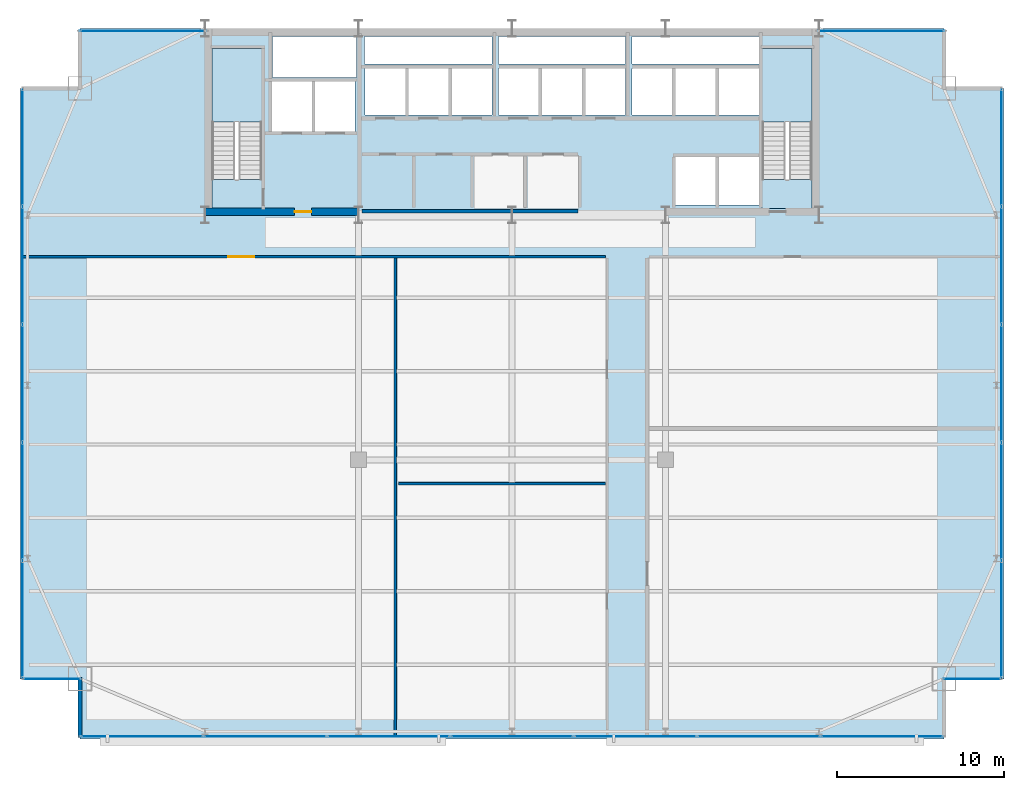
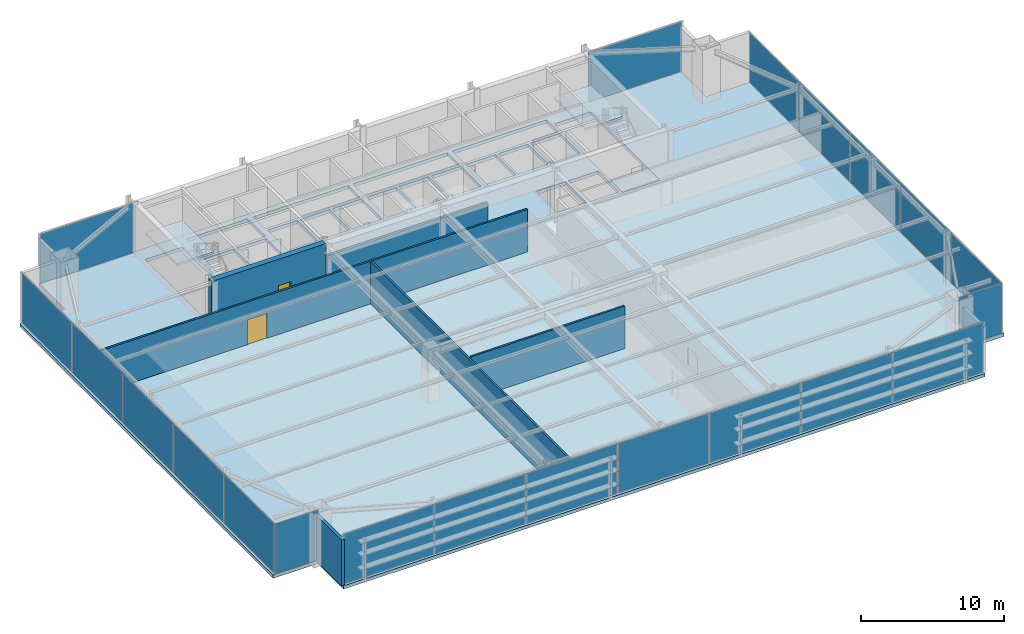
# One storey, part 28 of 32: 21 plates, 6 walls, 5 slabs, 2 doors, 2 openings, 9 elements without a shape of their own.
"""IFC4 building model written with IfcOpenShell, lengths in metres."""

from ifc_helpers import new_model, si_unit, direction, frame, frame_2d, origin, origin_2d, place, context, subcontext, project, spatial, polyline, rectangle, outline, extrude, source, transform, mapped, material, layer, layer_set, type_object, type_shapes, element, fill, aggregate, save


model = new_model("IFC4")

# Units and contexts
model_context = context("Model", 3, precision=1e-05, world=origin(), true_north=direction((0.0, 1.0)))
body_context = subcontext(model_context, "Body", "Model", "MODEL_VIEW")
ifc_project = project(units=[si_unit("LENGTHUNIT", "METRE"), si_unit("AREAUNIT", "SQUARE_METRE"), si_unit("VOLUMEUNIT", "CUBIC_METRE"), si_unit("PLANEANGLEUNIT", "RADIAN"), si_unit("MASSUNIT", "GRAM", prefix="KILO")], contexts=[model_context])

# Site, building, storey
site_placement = place(None, origin())
site = spatial("IfcSite", under=ifc_project, at=site_placement, CompositionType="ELEMENT")
building_placement = place(site_placement, origin())
building = spatial("IfcBuilding", under=site, at=building_placement, Name="Varnel Quay Broadcast Tower", CompositionType="ELEMENT")
storey_placement = place(building_placement, frame((0.0, 0.0, 98.39990234375)))
storey = spatial("IfcBuildingStorey", under=building, at=storey_placement, Name="L23", CompositionType="ELEMENT", Elevation=98.39990234375)

# Slabs
ifc_material_1 = material(Name="Concrete CSA A23.3 C50/60", Category="concrete")
ifc_layer_1 = layer(ifc_material_1, 0.280029296875, Name="Concrete CSA A23.3 C50/60")
ifc_layer_set_1 = layer_set([ifc_layer_1], Name="Concrete CSA A23.3 C50/60")
slab_type_1 = type_object("IfcSlabType", Name="Slab_Floor280", PredefinedType="FLOOR", material=ifc_layer_set_1)
slab_1_placement = place(storey_placement, frame((0.0, 0.0, -0.27978515625)))
element("IfcSlab", 1, at=slab_1_placement, inside=storey, type_object=slab_type_1, Name="L23 Structural Slab", PredefinedType="FLOOR", context=body_context, shape_type="SweptSolid", body=[
    extrude(outline(polyline([(8.10009765625, 4.199951171875), (59.89990234375, 4.199951171875), (59.89990234375, 7.800048828125), (63.5, 7.800048828125), (63.5, 43.199951171875), (59.89990234375, 43.199951171875), (59.89990234375, 46.800048828125), (8.10009765625, 46.800048828125), (8.10009765625, 43.199951171875), (4.5, 43.199951171875), (4.5, 7.800048828125), (8.10009765625, 7.800048828125), (8.10009765625, 4.199951171875)]), holes=[polyline([(16.0, 36.0), (16.0, 45.60009765625), (19.0, 45.60009765625), (19.0, 36.0), (16.0, 36.0)]), polyline([(19.60009765625, 43.60009765625), (22.0, 43.60009765625), (22.0, 40.60009765625), (19.60009765625, 40.60009765625), (19.60009765625, 43.60009765625)]), polyline([(22.199951171875, 43.60009765625), (24.60009765625, 43.60009765625), (24.60009765625, 40.60009765625), (22.199951171875, 40.60009765625), (22.199951171875, 43.60009765625)]), polyline([(25.199951171875, 44.39990234375), (27.60009765625, 44.39990234375), (27.60009765625, 41.60009765625), (25.199951171875, 41.60009765625), (25.199951171875, 44.39990234375)]), polyline([(27.800048828125, 44.39990234375), (30.199951171875, 44.39990234375), (30.199951171875, 41.60009765625), (27.800048828125, 41.60009765625), (27.800048828125, 44.39990234375)]), polyline([(30.39990234375, 44.39990234375), (32.800048828125, 44.39990234375), (32.800048828125, 41.60009765625), (30.39990234375, 41.60009765625), (30.39990234375, 44.39990234375)]), polyline([(33.199951171875, 44.39990234375), (35.60009765625, 44.39990234375), (35.60009765625, 41.60009765625), (33.199951171875, 41.60009765625), (33.199951171875, 44.39990234375)]), polyline([(38.199951171875, 44.39990234375), (38.199951171875, 41.60009765625), (35.800048828125, 41.60009765625), (35.800048828125, 44.39990234375), (38.199951171875, 44.39990234375)]), polyline([(24.679931640625, 46.300048828125), (24.679931640625, 43.85009765625), (19.64990234375, 43.85009765625), (19.64990234375, 46.300048828125), (24.679931640625, 46.300048828125)]), polyline([(25.14990234375, 46.300048828125), (32.800048828125, 46.300048828125), (32.800048828125, 44.64990234375), (25.14990234375, 44.64990234375), (25.14990234375, 46.300048828125)]), polyline([(43.800048828125, 39.10009765625), (46.199951171875, 39.10009765625), (46.199951171875, 36.199951171875), (43.800048828125, 36.199951171875), (43.800048828125, 39.10009765625)]), polyline([(46.39990234375, 39.10009765625), (48.800048828125, 39.10009765625), (48.800048828125, 36.199951171875), (46.39990234375, 36.199951171875), (46.39990234375, 39.10009765625)]), polyline([(49.0, 45.60009765625), (52.0, 45.60009765625), (52.0, 36.0), (49.0, 36.0), (49.0, 45.60009765625)]), polyline([(40.800048828125, 44.39990234375), (40.800048828125, 41.60009765625), (38.39990234375, 41.60009765625), (38.39990234375, 44.39990234375), (40.800048828125, 44.39990234375)]), polyline([(41.199951171875, 44.39990234375), (43.60009765625, 44.39990234375), (43.60009765625, 41.60009765625), (41.199951171875, 41.60009765625), (41.199951171875, 44.39990234375)]), polyline([(43.800048828125, 44.39990234375), (46.199951171875, 44.39990234375), (46.199951171875, 41.60009765625), (43.800048828125, 41.60009765625), (43.800048828125, 44.39990234375)]), polyline([(46.39990234375, 44.39990234375), (48.800048828125, 44.39990234375), (48.800048828125, 41.60009765625), (46.39990234375, 41.60009765625), (46.39990234375, 44.39990234375)]), polyline([(40.800048828125, 46.300048828125), (40.800048828125, 44.64990234375), (33.199951171875, 44.64990234375), (33.199951171875, 46.300048828125), (40.800048828125, 46.300048828125)]), polyline([(48.800048828125, 46.300048828125), (48.800048828125, 44.64990234375), (41.199951171875, 44.64990234375), (41.199951171875, 46.300048828125), (48.800048828125, 46.300048828125)])]), origin(), (0.0, 0.0, 1.0), 0.27978515625),
])
ifc_layer_2 = layer(ifc_material_1, 0.25, Name="Concrete CSA A23.3 C50/60")
ifc_layer_set_2 = layer_set([ifc_layer_2], Name="Concrete CSA A23.3 C50/60")
slab_type_2 = type_object("IfcSlabType", Name="Slab_StairFloorLanding250", PredefinedType="FLOOR", material=ifc_layer_set_2)
slab_2_placement = place(storey_placement, frame((0.0, 0.0, -0.27978515625)))
element("IfcSlab", 2, at=slab_2_placement, inside=storey, type_object=slab_type_2, Name="L23 ST-01 Structural Floor Landing Slab", PredefinedType="FLOOR", context=body_context, shape_type="SweptSolid", body=[
    extrude(outline(polyline([(19.0, 36.0), (19.0, 37.75), (16.0, 37.75), (16.0, 36.0), (19.0, 36.0)])), origin(), (0.0, 0.0, 1.0), 0.27978515625),
])
slab_3_placement = place(storey_placement, frame((0.0, 0.0, -0.27978515625)))
element("IfcSlab", 3, at=slab_3_placement, inside=storey, type_object=slab_type_2, Name="L23 ST-02 Structural Floor Landing Slab", PredefinedType="FLOOR", context=body_context, shape_type="SweptSolid", body=[
    extrude(outline(polyline([(52.0, 36.0), (52.0, 37.75), (49.0, 37.75), (49.0, 36.0), (52.0, 36.0)])), origin(), (0.0, 0.0, 1.0), 0.27978515625),
])

# Stair, slab
ifc_material_2 = material(Name="Precast Structural Concrete C40/50", Category="concrete")
stair_type_1 = type_object("IfcStairType", Name="Stair_ST-01", PredefinedType="HALF_TURN_STAIR", material=ifc_material_2)
stair_1_placement = place(storey_placement, origin())
stair_1 = element("IfcStair", 4, at=stair_1_placement, inside=storey, type_object=stair_type_1, Name="L23 West Core Exit Stair 1", PredefinedType="HALF_TURN_STAIR")
ifc_layer_3 = layer(ifc_material_2, 0.199951171875, Name="Precast Structural Concrete C40/50")
ifc_layer_set_3 = layer_set([ifc_layer_3], Name="Precast Structural Concrete C40/50")
slab_type_3 = type_object("IfcSlabType", Name="Slab_StairLanding200", PredefinedType="LANDING", material=ifc_layer_set_3)
slab_4_placement = place(storey_placement, frame((0.0, 0.0, 2.10009765625)))
slab_4 = element("IfcSlab", 5, at=slab_4_placement, type_object=slab_type_3, Name="ST-01 landing 1", PredefinedType="LANDING", context=body_context, shape_type="SweptSolid", body=[
    extrude(outline(polyline([(19.0, 41.169921875), (19.0, 45.60009765625), (16.0, 45.60009765625), (16.0, 41.169921875), (19.0, 41.169921875)])), origin(), (0.0, 0.0, 1.0), 0.199951171875),
])
aggregate(stair_1, [slab_4])

stair_type_2 = type_object("IfcStairType", Name="Stair_ST-02", PredefinedType="HALF_TURN_STAIR", material=ifc_material_2)
stair_2_placement = place(storey_placement, origin())
stair_2 = element("IfcStair", 6, at=stair_2_placement, inside=storey, type_object=stair_type_2, Name="L23 East Core Exit Stair 2", PredefinedType="HALF_TURN_STAIR")
slab_5_placement = place(storey_placement, frame((0.0, 0.0, 2.10009765625)))
slab_5 = element("IfcSlab", 7, at=slab_5_placement, type_object=slab_type_3, Name="ST-02 landing 1", PredefinedType="LANDING", context=body_context, shape_type="SweptSolid", body=[
    extrude(outline(polyline([(52.0, 41.169921875), (52.0, 45.60009765625), (49.0, 45.60009765625), (49.0, 41.169921875), (52.0, 41.169921875)])), origin(), (0.0, 0.0, 1.0), 0.199951171875),
])
aggregate(stair_2, [slab_5])

# Curtain wall, plates
ifc_material_3 = material(Name="Anodised Bronze Aluminium 6063-T6", Category="aluminium")
ifc_layer_4 = layer(ifc_material_3, 0.18994140625, Name="Anodised Bronze Aluminium 6063-T6")
ifc_layer_set_4 = layer_set([ifc_layer_4], Name="Anodised Bronze Aluminium 6063-T6")
curtain_wall_type_1 = type_object("IfcCurtainWallType", Name="CW_SkyObsHighVis", PredefinedType="NOTDEFINED", material=ifc_layer_set_4)
curtain_wall_1_placement = place(storey_placement, origin())
curtain_wall_1 = element("IfcCurtainWall", 8, at=curtain_wall_1_placement, inside=storey, type_object=curtain_wall_type_1, Name="L23 South Unitised Curtain Wall 1", PredefinedType="NOTDEFINED")
ifc_material_4 = material(Name="Triple-Glazed Clear High-Vision Low-E Glass", Category="glass")
ifc_layer_5 = layer(ifc_material_4, 0.0380859375, Name="Triple-Glazed Clear High-Vision Low-E Glass")
ifc_layer_set_5 = layer_set([ifc_layer_5], Name="Triple-Glazed Clear High-Vision Low-E Glass")
plate_type_1 = type_object("IfcPlateType", Name="Panel_CWS-05", PredefinedType="CURTAIN_PANEL", material=ifc_layer_set_5)
shared_shape_1 = source(origin(), body_context, "Body", "SweptSolid", [
    extrude(rectangle(XDim=7.28759765625, YDim=0.0380859375, at=origin_2d()), origin(), (0.0, 0.0, 1.0), 4.22998046875),
])
plate_1_placement = place(storey_placement, frame((11.81884765625, 4.35009765625, 0.06005859375), z_axis=(0.0, 0.0, 1.0), x_axis=(1.0, 0.0, 0.0)))
plate_1 = element("IfcPlate", 9, at=plate_1_placement, type_object=plate_type_1, Name="CWS-05 panel 1.1", PredefinedType="CURTAIN_PANEL", context=body_context, shape_type="MappedRepresentation", body=[
    mapped(shared_shape_1, transform((0.0, 0.0, 0.0), x_axis=(1.0, 0.0, 0.0), y_axis=(0.0, 1.0, 0.0), z_axis=(0.0, 0.0, 1.0), scale=1.0)),
])
plate_2_placement = place(storey_placement, frame((56.18115234375, 4.35009765625, 0.06005859375), z_axis=(0.0, 0.0, 1.0), x_axis=(1.0, 0.0, 0.0)))
plate_2 = element("IfcPlate", 10, at=plate_2_placement, type_object=plate_type_1, Name="CWS-05 panel 7.1", PredefinedType="CURTAIN_PANEL", context=body_context, shape_type="MappedRepresentation", body=[
    mapped(shared_shape_1, transform((0.0, 0.0, 0.0), x_axis=(1.0, 0.0, 0.0), y_axis=(0.0, 1.0, 0.0), z_axis=(0.0, 0.0, 1.0), scale=1.0)),
])
shared_shape_2 = source(origin(), body_context, "Body", "SweptSolid", [
    extrude(rectangle(XDim=7.324951171875, YDim=0.0380859375, at=origin_2d()), origin(), (0.0, 0.0, 1.0), 4.22998046875),
])
plate_3_placement = place(storey_placement, frame((19.199951171875, 4.35009765625, 0.06005859375), z_axis=(0.0, 0.0, 1.0), x_axis=(1.0, 0.0, 0.0)))
plate_3 = element("IfcPlate", 11, at=plate_3_placement, type_object=plate_type_1, Name="CWS-05 panel 2.1", PredefinedType="CURTAIN_PANEL", context=body_context, shape_type="MappedRepresentation", body=[
    mapped(shared_shape_2, transform((0.0, 0.0, 0.0), x_axis=(1.0, 0.0, 0.0), y_axis=(0.0, 1.0, 0.0), z_axis=(0.0, 0.0, 1.0), scale=1.0)),
])
plate_4_placement = place(storey_placement, frame((26.60009765625, 4.35009765625, 0.06005859375), z_axis=(0.0, 0.0, 1.0), x_axis=(1.0, 0.0, 0.0)))
plate_4 = element("IfcPlate", 12, at=plate_4_placement, type_object=plate_type_1, Name="CWS-05 panel 3.1", PredefinedType="CURTAIN_PANEL", context=body_context, shape_type="MappedRepresentation", body=[
    mapped(shared_shape_2, transform((0.0, 0.0, 0.0), x_axis=(1.0, 0.0, 0.0), y_axis=(0.0, 1.0, 0.0), z_axis=(0.0, 0.0, 1.0), scale=1.0)),
])
plate_5_placement = place(storey_placement, frame((34.0, 4.35009765625, 0.06005859375), z_axis=(0.0, 0.0, 1.0), x_axis=(1.0, 0.0, 0.0)))
plate_5 = element("IfcPlate", 13, at=plate_5_placement, type_object=plate_type_1, Name="CWS-05 panel 4.1", PredefinedType="CURTAIN_PANEL", context=body_context, shape_type="MappedRepresentation", body=[
    mapped(shared_shape_2, transform((0.0, 0.0, 0.0), x_axis=(1.0, 0.0, 0.0), y_axis=(0.0, 1.0, 0.0), z_axis=(0.0, 0.0, 1.0), scale=1.0)),
])
plate_6_placement = place(storey_placement, frame((41.39990234375, 4.35009765625, 0.06005859375), z_axis=(0.0, 0.0, 1.0), x_axis=(1.0, 0.0, 0.0)))
plate_6 = element("IfcPlate", 14, at=plate_6_placement, type_object=plate_type_1, Name="CWS-05 panel 5.1", PredefinedType="CURTAIN_PANEL", context=body_context, shape_type="MappedRepresentation", body=[
    mapped(shared_shape_2, transform((0.0, 0.0, 0.0), x_axis=(1.0, 0.0, 0.0), y_axis=(0.0, 1.0, 0.0), z_axis=(0.0, 0.0, 1.0), scale=1.0)),
])
plate_7_placement = place(storey_placement, frame((48.800048828125, 4.35009765625, 0.06005859375), z_axis=(0.0, 0.0, 1.0), x_axis=(1.0, 0.0, 0.0)))
plate_7 = element("IfcPlate", 15, at=plate_7_placement, type_object=plate_type_1, Name="CWS-05 panel 6.1", PredefinedType="CURTAIN_PANEL", context=body_context, shape_type="MappedRepresentation", body=[
    mapped(shared_shape_2, transform((0.0, 0.0, 0.0), x_axis=(1.0, 0.0, 0.0), y_axis=(0.0, 1.0, 0.0), z_axis=(0.0, 0.0, 1.0), scale=1.0)),
])
aggregate(curtain_wall_1, [plate_1, plate_3, plate_4, plate_5, plate_6, plate_7, plate_2])

curtain_wall_2_placement = place(storey_placement, origin())
curtain_wall_2 = element("IfcCurtainWall", 16, at=curtain_wall_2_placement, inside=storey, type_object=curtain_wall_type_1, Name="L23 West Unitised Curtain Wall", PredefinedType="NOTDEFINED")
shared_shape_3 = source(origin(), body_context, "Body", "SweptSolid", [
    extrude(rectangle(XDim=6.967529296875, YDim=0.0380859375, at=origin_2d()), origin(), (0.0, 0.0, 1.0), 4.22998046875),
])
plate_8_placement = place(storey_placement, frame((4.64990234375, 11.358642578125, 0.06005859375), z_axis=(0.0, 0.0, 1.0), x_axis=(0.0, 1.0, 0.0)))
plate_8 = element("IfcPlate", 17, at=plate_8_placement, type_object=plate_type_1, Name="CWS-05 panel 1.1", PredefinedType="CURTAIN_PANEL", context=body_context, shape_type="MappedRepresentation", body=[
    mapped(shared_shape_3, transform((0.0, 0.0, 0.0), x_axis=(1.0, 0.0, 0.0), y_axis=(0.0, 1.0, 0.0), z_axis=(0.0, 0.0, 1.0), scale=1.0)),
])
plate_9_placement = place(storey_placement, frame((4.64990234375, 39.641357421875, 0.06005859375), z_axis=(0.0, 0.0, 1.0), x_axis=(0.0, 1.0, 0.0)))
plate_9 = element("IfcPlate", 18, at=plate_9_placement, type_object=plate_type_1, Name="CWS-05 panel 5.1", PredefinedType="CURTAIN_PANEL", context=body_context, shape_type="MappedRepresentation", body=[
    mapped(shared_shape_3, transform((0.0, 0.0, 0.0), x_axis=(1.0, 0.0, 0.0), y_axis=(0.0, 1.0, 0.0), z_axis=(0.0, 0.0, 1.0), scale=1.0)),
])

curtain_wall_3_placement = place(storey_placement, origin())
curtain_wall_3 = element("IfcCurtainWall", 19, at=curtain_wall_3_placement, inside=storey, type_object=curtain_wall_type_1, Name="L23 East Unitised Curtain Wall", PredefinedType="NOTDEFINED")
plate_10_placement = place(storey_placement, frame((63.35009765625, 11.358642578125, 0.06005859375), z_axis=(0.0, 0.0, 1.0), x_axis=(0.0, 1.0, 0.0)))
plate_10 = element("IfcPlate", 20, at=plate_10_placement, type_object=plate_type_1, Name="CWS-05 panel 1.1", PredefinedType="CURTAIN_PANEL", context=body_context, shape_type="MappedRepresentation", body=[
    mapped(shared_shape_3, transform((0.0, 0.0, 0.0), x_axis=(1.0, 0.0, 0.0), y_axis=(0.0, 1.0, 0.0), z_axis=(0.0, 0.0, 1.0), scale=1.0)),
])
plate_11_placement = place(storey_placement, frame((63.35009765625, 39.641357421875, 0.06005859375), z_axis=(0.0, 0.0, 1.0), x_axis=(0.0, 1.0, 0.0)))
plate_11 = element("IfcPlate", 21, at=plate_11_placement, type_object=plate_type_1, Name="CWS-05 panel 5.1", PredefinedType="CURTAIN_PANEL", context=body_context, shape_type="MappedRepresentation", body=[
    mapped(shared_shape_3, transform((0.0, 0.0, 0.0), x_axis=(1.0, 0.0, 0.0), y_axis=(0.0, 1.0, 0.0), z_axis=(0.0, 0.0, 1.0), scale=1.0)),
])

# Plate
shared_shape_4 = source(origin(), body_context, "Body", "SweptSolid", [
    extrude(rectangle(XDim=7.0048828125, YDim=0.0380859375, at=origin_2d()), origin(), (0.0, 0.0, 1.0), 4.22998046875),
])
plate_12_placement = place(storey_placement, frame((4.64990234375, 18.419921875, 0.06005859375), z_axis=(0.0, 0.0, 1.0), x_axis=(0.0, 1.0, 0.0)))
plate_12 = element("IfcPlate", 22, at=plate_12_placement, type_object=plate_type_1, Name="CWS-05 panel 2.1", PredefinedType="CURTAIN_PANEL", context=body_context, shape_type="MappedRepresentation", body=[
    mapped(shared_shape_4, transform((0.0, 0.0, 0.0), x_axis=(1.0, 0.0, 0.0), y_axis=(0.0, 1.0, 0.0), z_axis=(0.0, 0.0, 1.0), scale=1.0)),
])

plate_13_placement = place(storey_placement, frame((4.64990234375, 25.5, 0.06005859375), z_axis=(0.0, 0.0, 1.0), x_axis=(0.0, 1.0, 0.0)))
plate_13 = element("IfcPlate", 23, at=plate_13_placement, type_object=plate_type_1, Name="CWS-05 panel 3.1", PredefinedType="CURTAIN_PANEL", context=body_context, shape_type="MappedRepresentation", body=[
    mapped(shared_shape_4, transform((0.0, 0.0, 0.0), x_axis=(1.0, 0.0, 0.0), y_axis=(0.0, 1.0, 0.0), z_axis=(0.0, 0.0, 1.0), scale=1.0)),
])

plate_14_placement = place(storey_placement, frame((4.64990234375, 32.580078125, 0.06005859375), z_axis=(0.0, 0.0, 1.0), x_axis=(0.0, 1.0, 0.0)))
plate_14 = element("IfcPlate", 24, at=plate_14_placement, type_object=plate_type_1, Name="CWS-05 panel 4.1", PredefinedType="CURTAIN_PANEL", context=body_context, shape_type="MappedRepresentation", body=[
    mapped(shared_shape_4, transform((0.0, 0.0, 0.0), x_axis=(1.0, 0.0, 0.0), y_axis=(0.0, 1.0, 0.0), z_axis=(0.0, 0.0, 1.0), scale=1.0)),
])

aggregate(curtain_wall_2, [plate_8, plate_12, plate_13, plate_14, plate_9])

plate_15_placement = place(storey_placement, frame((63.35009765625, 18.419921875, 0.06005859375), z_axis=(0.0, 0.0, 1.0), x_axis=(0.0, 1.0, 0.0)))
plate_15 = element("IfcPlate", 25, at=plate_15_placement, type_object=plate_type_1, Name="CWS-05 panel 2.1", PredefinedType="CURTAIN_PANEL", context=body_context, shape_type="MappedRepresentation", body=[
    mapped(shared_shape_4, transform((0.0, 0.0, 0.0), x_axis=(1.0, 0.0, 0.0), y_axis=(0.0, 1.0, 0.0), z_axis=(0.0, 0.0, 1.0), scale=1.0)),
])

plate_16_placement = place(storey_placement, frame((63.35009765625, 25.5, 0.06005859375), z_axis=(0.0, 0.0, 1.0), x_axis=(0.0, 1.0, 0.0)))
plate_16 = element("IfcPlate", 26, at=plate_16_placement, type_object=plate_type_1, Name="CWS-05 panel 3.1", PredefinedType="CURTAIN_PANEL", context=body_context, shape_type="MappedRepresentation", body=[
    mapped(shared_shape_4, transform((0.0, 0.0, 0.0), x_axis=(1.0, 0.0, 0.0), y_axis=(0.0, 1.0, 0.0), z_axis=(0.0, 0.0, 1.0), scale=1.0)),
])

plate_17_placement = place(storey_placement, frame((63.35009765625, 32.580078125, 0.06005859375), z_axis=(0.0, 0.0, 1.0), x_axis=(0.0, 1.0, 0.0)))
plate_17 = element("IfcPlate", 27, at=plate_17_placement, type_object=plate_type_1, Name="CWS-05 panel 4.1", PredefinedType="CURTAIN_PANEL", context=body_context, shape_type="MappedRepresentation", body=[
    mapped(shared_shape_4, transform((0.0, 0.0, 0.0), x_axis=(1.0, 0.0, 0.0), y_axis=(0.0, 1.0, 0.0), z_axis=(0.0, 0.0, 1.0), scale=1.0)),
])

aggregate(curtain_wall_3, [plate_10, plate_15, plate_16, plate_17, plate_11])

# Curtain wall, plate
ifc_layer_6 = layer(ifc_material_3, 0.18994140625, Name="Anodised Bronze Aluminium 6063-T6")
ifc_layer_set_6 = layer_set([ifc_layer_6], Name="Anodised Bronze Aluminium 6063-T6")
curtain_wall_type_2 = type_object("IfcCurtainWallType", Name="CW_NotchCorner", PredefinedType="NOTDEFINED", material=ifc_layer_set_6)
curtain_wall_4_placement = place(storey_placement, origin())
curtain_wall_4 = element("IfcCurtainWall", 28, at=curtain_wall_4_placement, inside=storey, type_object=curtain_wall_type_2, Name="L23 SW Notch Curtain Wall", PredefinedType="NOTDEFINED")
ifc_material_5 = material(Name="Triple-Glazed Bronze Low-E Architectural Glass", Category="glass")
ifc_layer_7 = layer(ifc_material_5, 0.028076171875, Name="Triple-Glazed Bronze Low-E Architectural Glass")
ifc_layer_set_7 = layer_set([ifc_layer_7], Name="Triple-Glazed Bronze Low-E Architectural Glass")
plate_type_2 = type_object("IfcPlateType", Name="Panel_CWS-04", PredefinedType="CURTAIN_PANEL", material=ifc_layer_set_7)
shared_shape_5 = source(origin(), body_context, "Body", "SweptSolid", [
    extrude(rectangle(XDim=3.409912109375, YDim=0.028076171875, at=origin_2d()), origin(), (0.0, 0.0, 1.0), 4.239990234375),
])
type_shapes(plate_type_2, [shared_shape_5])
plate_18_placement = place(storey_placement, frame((6.4150390625, 7.800048828125, 0.05517578125), z_axis=(0.0, 0.0, 1.0), x_axis=(1.0, 0.0, 0.0)))
plate_18 = element("IfcPlate", 29, at=plate_18_placement, type_object=plate_type_2, Name="CWS-04 panel 1.1", PredefinedType="CURTAIN_PANEL", context=body_context, shape_type="MappedRepresentation", body=[
    mapped(shared_shape_5, transform((0.0, 0.0, 0.0), x_axis=(1.0, 0.0, 0.0), y_axis=(0.0, 1.0, 0.0), z_axis=(0.0, 0.0, 1.0), scale=1.0)),
])
aggregate(curtain_wall_4, [plate_18])

curtain_wall_5_placement = place(storey_placement, origin())
curtain_wall_5 = element("IfcCurtainWall", 30, at=curtain_wall_5_placement, inside=storey, type_object=curtain_wall_type_2, Name="L23 SE Notch Curtain Wall", PredefinedType="NOTDEFINED")
plate_19_placement = place(storey_placement, frame((61.5849609375, 7.800048828125, 0.05517578125), z_axis=(0.0, 0.0, 1.0), x_axis=(1.0, 0.0, 0.0)))
plate_19 = element("IfcPlate", 31, at=plate_19_placement, type_object=plate_type_2, Name="CWS-04 panel 1.1", PredefinedType="CURTAIN_PANEL", context=body_context, shape_type="MappedRepresentation", body=[
    mapped(shared_shape_5, transform((0.0, 0.0, 0.0), x_axis=(1.0, 0.0, 0.0), y_axis=(0.0, 1.0, 0.0), z_axis=(0.0, 0.0, 1.0), scale=1.0)),
])
aggregate(curtain_wall_5, [plate_19])

curtain_wall_6_placement = place(storey_placement, origin())
curtain_wall_6 = element("IfcCurtainWall", 32, at=curtain_wall_6_placement, inside=storey, type_object=curtain_wall_type_1, Name="L23 NW Wing Curtain Wall", PredefinedType="NOTDEFINED")
shared_shape_6 = source(origin(), body_context, "Body", "SweptSolid", [
    extrude(rectangle(XDim=7.530029296875, YDim=0.0380859375, at=origin_2d()), origin(), (0.0, 0.0, 1.0), 4.22998046875),
])
type_shapes(plate_type_1, [shared_shape_1, shared_shape_2, shared_shape_3, shared_shape_4, shared_shape_6])
plate_20_placement = place(storey_placement, frame((11.860107421875, 46.64990234375, 0.06005859375), z_axis=(0.0, 0.0, 1.0), x_axis=(1.0, 0.0, 0.0)))
plate_20 = element("IfcPlate", 33, at=plate_20_placement, type_object=plate_type_1, Name="CWS-05 panel 1.1", PredefinedType="CURTAIN_PANEL", context=body_context, shape_type="MappedRepresentation", body=[
    mapped(shared_shape_6, transform((0.0, 0.0, 0.0), x_axis=(1.0, 0.0, 0.0), y_axis=(0.0, 1.0, 0.0), z_axis=(0.0, 0.0, 1.0), scale=1.0)),
])
aggregate(curtain_wall_6, [plate_20])

curtain_wall_7_placement = place(storey_placement, origin())
curtain_wall_7 = element("IfcCurtainWall", 34, at=curtain_wall_7_placement, inside=storey, type_object=curtain_wall_type_1, Name="L23 NE Wing Curtain Wall", PredefinedType="NOTDEFINED")
plate_21_placement = place(storey_placement, frame((56.139892578125, 46.64990234375, 0.06005859375), z_axis=(0.0, 0.0, 1.0), x_axis=(1.0, 0.0, 0.0)))
plate_21 = element("IfcPlate", 35, at=plate_21_placement, type_object=plate_type_1, Name="CWS-05 panel 1.1", PredefinedType="CURTAIN_PANEL", context=body_context, shape_type="MappedRepresentation", body=[
    mapped(shared_shape_6, transform((0.0, 0.0, 0.0), x_axis=(1.0, 0.0, 0.0), y_axis=(0.0, 1.0, 0.0), z_axis=(0.0, 0.0, 1.0), scale=1.0)),
])
aggregate(curtain_wall_7, [plate_21])

# Wall, opening, door
ifc_material_6 = material(Name="Concrete CSA A23.3 C60/75", Category="concrete")
ifc_layer_8 = layer(ifc_material_6, 0.449951171875, Name="Concrete CSA A23.3 C60/75")
ifc_layer_set_8 = layer_set([ifc_layer_8], Name="Concrete CSA A23.3 C60/75")
wall_type_1 = type_object("IfcWallType", Name="Wall_CoreShearInt450", PredefinedType="SHEAR", material=ifc_layer_set_8)
wall_1_placement = place(storey_placement, frame((15.570068359375, 35.794921875, 0.0), z_axis=(0.0, 0.0, 1.0), x_axis=(1.0, 0.0, 0.0)))
wall_1 = element("IfcWall", 36, at=wall_1_placement, inside=storey, type_object=wall_type_1, Name="L23 South-West Core Shear Wall", PredefinedType="SHEAR", context=body_context, shape_type="SweptSolid", body=[
    extrude(rectangle(XDim=9.22998046875, YDim=0.449951171875, at=frame_2d((4.614990234375, 0.0))), origin(), (0.0, 0.0, 1.0), 4.35009765625),
])
opening_1_placement = place(wall_1_placement, frame((5.39990234375, 0.0, 0.0)))
opening_1 = element("IfcOpeningElement", 37, at=opening_1_placement, cuts=wall_1, Name="Opening D-L23-FFL", PredefinedType="OPENING", context=body_context, shape_type="SweptSolid", body=[
    extrude(rectangle(XDim=1.0, YDim=2.10009765625, at=frame_2d((0.5, 1.050048828125))), frame((0.0, 0.23486328125, 0.0), z_axis=(0.0, -1.0, 0.0), x_axis=(1.0, 0.0, 0.0)), (0.0, 0.0, 1.0), 0.469970703125),
])
ifc_material_7 = material(Name="Insulated Fire-Rated Hollow Steel Door", Category="steel")
door_type_1 = type_object("IfcDoorType", Name="Door_FireLobby1000", OperationType="NOTDEFINED", PredefinedType="DOOR", material=ifc_material_7)
shared_shape_7 = source(origin(), body_context, "Body", "SweptSolid", [
    extrude(rectangle(XDim=1.0, YDim=2.10009765625, at=frame_2d((0.5, 1.050048828125))), frame((0.0, 0.02490234375, 0.0), z_axis=(0.0, -1.0, 0.0), x_axis=(1.0, 0.0, 0.0)), (0.0, 0.0, 1.0), 0.050048828125),
])
type_shapes(door_type_1, [shared_shape_7])
door_1_placement = place(opening_1_placement, origin())
door_1 = element("IfcDoor", 38, at=door_1_placement, inside=storey, type_object=door_type_1, Name="L23 Firefighting Lobby Door", OperationType="SINGLE_SWING_RIGHT", OverallHeight=2.10009765625, OverallWidth=1.0, PredefinedType="DOOR", context=body_context, shape_type="MappedRepresentation", body=[
    mapped(shared_shape_7, transform((0.0, 0.0, 0.0), x_axis=(1.0, 0.0, 0.0), y_axis=(0.0, 1.0, 0.0), z_axis=(0.0, 0.0, 1.0), scale=1.0)),
])
fill(opening_1, door_1)

# Walls
ifc_material_8 = material(Name="Precast Architectural Concrete C40/50", Category="concrete")
ifc_layer_9 = layer(ifc_material_8, 0.25, Name="Precast Architectural Concrete C40/50")
ifc_layer_set_9 = layer_set([ifc_layer_9], Name="Precast Architectural Concrete C40/50")
wall_type_2 = type_object("IfcWallType", Name="Wall_ExtTerrace250", PredefinedType="SOLIDWALL", material=ifc_layer_set_9)
wall_2_placement = place(storey_placement, frame((8.10009765625, 4.280029296875, 0.0), z_axis=(0.0, 0.0, 1.0), x_axis=(0.0, 1.0, 0.0)))
element("IfcWall", 39, at=wall_2_placement, inside=storey, type_object=wall_type_2, Name="L23 Mega-Column Notch Cladding Wall NSW2", PredefinedType="SOLIDWALL", context=body_context, shape_type="SweptSolid", body=[
    extrude(rectangle(XDim=3.599853515625, YDim=0.25, at=frame_2d((1.7998046875, 0.0))), origin(), (0.0, 0.0, 1.0), 3.908203125),
])
ifc_material_9 = material(Name="Concrete Blockwork Fire Enclosure C40/50", Category="masonry")
ifc_layer_10 = layer(ifc_material_9, 0.199951171875, Name="Concrete Blockwork Fire Enclosure C40/50")
ifc_layer_set_10 = layer_set([ifc_layer_10], Name="Concrete Blockwork Fire Enclosure C40/50")
wall_type_3 = type_object("IfcWallType", Name="Wall_FireShaft200", PredefinedType="SOLIDWALL", material=ifc_layer_set_10)
wall_3_placement = place(storey_placement, frame((25.0, 35.824951171875, 0.0), z_axis=(0.0, 0.0, 1.0), x_axis=(1.0, 0.0, 0.0)))
element("IfcWall", 40, at=wall_3_placement, inside=storey, type_object=wall_type_3, Name="L23 Accessible Universal Washroom Partition 1", PredefinedType="SOLIDWALL", context=body_context, shape_type="SweptSolid", body=[
    extrude(rectangle(XDim=12.949951171875, YDim=0.199951171875, at=frame_2d((6.47509765625, 0.0))), origin(), (0.0, 0.0, 1.0), 3.125),
])
ifc_material_10 = material(Name="Steel-Stud Fire-Rated Acoustic Gypsum Partition Assembly", Category="steel")
ifc_layer_11 = layer(ifc_material_10, 0.14990234375, Name="Steel-Stud Fire-Rated Acoustic Gypsum Partition Assembly")
ifc_layer_set_11 = layer_set([ifc_layer_11], Name="Steel-Stud Fire-Rated Acoustic Gypsum Partition Assembly")
wall_type_4 = type_object("IfcWallType", Name="Wall_Partition150", PredefinedType="PARTITIONING", material=ifc_layer_set_11)
wall_4_placement = place(storey_placement, frame((27.0, 4.3798828125, 0.0), z_axis=(0.0, 0.0, 1.0), x_axis=(0.0, 1.0, 0.0)))
element("IfcWall", 41, at=wall_4_placement, inside=storey, type_object=wall_type_4, Name="L23 Low-to-Mid Sky Transfer Concourse Partition 7", PredefinedType="PARTITIONING", context=body_context, shape_type="SweptSolid", body=[
    extrude(rectangle(XDim=28.64501953125, YDim=0.14990234375, at=frame_2d((14.322509765625, 0.0))), origin(), (0.0, 0.0, 1.0), 3.630126953125),
])

# Wall, opening, door
wall_5_placement = place(storey_placement, frame((4.679931640625, 33.10009765625, 0.0), z_axis=(0.0, 0.0, 1.0), x_axis=(1.0, 0.0, 0.0)))
wall_5 = element("IfcWall", 42, at=wall_5_placement, inside=storey, type_object=wall_type_4, Name="L23 Low-to-Mid Sky Transfer Concourse Partition 8", PredefinedType="PARTITIONING", context=body_context, shape_type="SweptSolid", body=[
    extrude(rectangle(XDim=34.920166015625, YDim=0.14990234375, at=frame_2d((17.4599609375, 0.0))), origin(), (0.0, 0.0, 1.0), 3.630126953125),
])
opening_2_placement = place(wall_5_placement, frame((12.320068359375, 0.0, 0.0)))
opening_2 = element("IfcOpeningElement", 43, at=opening_2_placement, cuts=wall_5, Name="Opening D-L23-05", PredefinedType="OPENING", context=body_context, shape_type="SweptSolid", body=[
    extrude(rectangle(XDim=1.550048828125, YDim=2.1201171875, at=frame_2d((0.77490234375, 1.06005859375))), frame((0.0, 0.0849609375, 0.0), z_axis=(0.0, -1.0, 0.0), x_axis=(1.0, 0.0, 0.0)), (0.0, 0.0, 1.0), 0.169921875),
])
ifc_material_11 = material(Name="Solid-Core Fire-Rated Acoustic Oak Veneer Door", Category="wood")
door_type_2 = type_object("IfcDoorType", Name="Door_Lobby1550", OperationType="DOUBLE_DOOR_SINGLE_SWING", PredefinedType="DOOR", material=ifc_material_11)
shared_shape_8 = source(origin(), body_context, "Body", "SweptSolid", [
    extrude(rectangle(XDim=1.550048828125, YDim=2.1201171875, at=frame_2d((0.77490234375, 1.06005859375))), frame((0.0, 0.02490234375, 0.0), z_axis=(0.0, -1.0, 0.0), x_axis=(1.0, 0.0, 0.0)), (0.0, 0.0, 1.0), 0.050048828125),
])
type_shapes(door_type_2, [shared_shape_8])
door_2_placement = place(opening_2_placement, frame((1.550048828125, 0.0, 0.0), z_axis=(0.0, 0.0, 1.0), x_axis=(-1.0, 0.0, 0.0)))
door_2 = element("IfcDoor", 44, at=door_2_placement, inside=storey, type_object=door_type_2, Name="L23 Low-to-Mid Sky Transfer Concourse Door D-L23-05", OperationType="DOUBLE_DOOR_SINGLE_SWING", OverallHeight=2.1201171875, OverallWidth=1.550048828125, PredefinedType="DOOR", context=body_context, shape_type="MappedRepresentation", body=[
    mapped(shared_shape_8, transform((0.0, 0.0, 0.0), x_axis=(1.0, 0.0, 0.0), y_axis=(0.0, 1.0, 0.0), z_axis=(0.0, 0.0, 1.0), scale=1.0)),
])
fill(opening_2, door_2)

# Wall
wall_6_placement = place(storey_placement, frame((27.199951171875, 19.5, 0.0), z_axis=(0.0, 0.0, 1.0), x_axis=(1.0, 0.0, 0.0)))
element("IfcWall", 45, at=wall_6_placement, inside=storey, type_object=wall_type_4, Name="L23 Editorial Espresso & Dining Bar Partition 10", PredefinedType="PARTITIONING", context=body_context, shape_type="SweptSolid", body=[
    extrude(rectangle(XDim=12.400146484375, YDim=0.14990234375, at=frame_2d((6.2001953125, 0.0))), origin(), (0.0, 0.0, 1.0), 3.630126953125),
])

save(model, "model.ifc")
